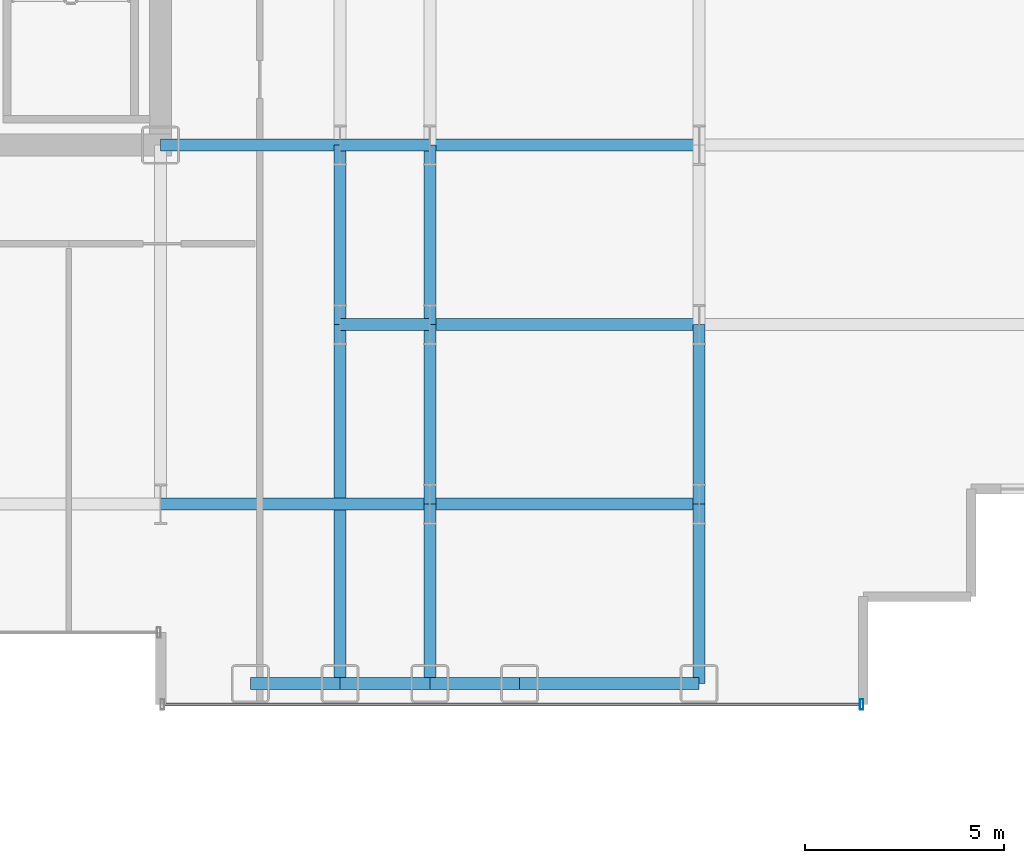
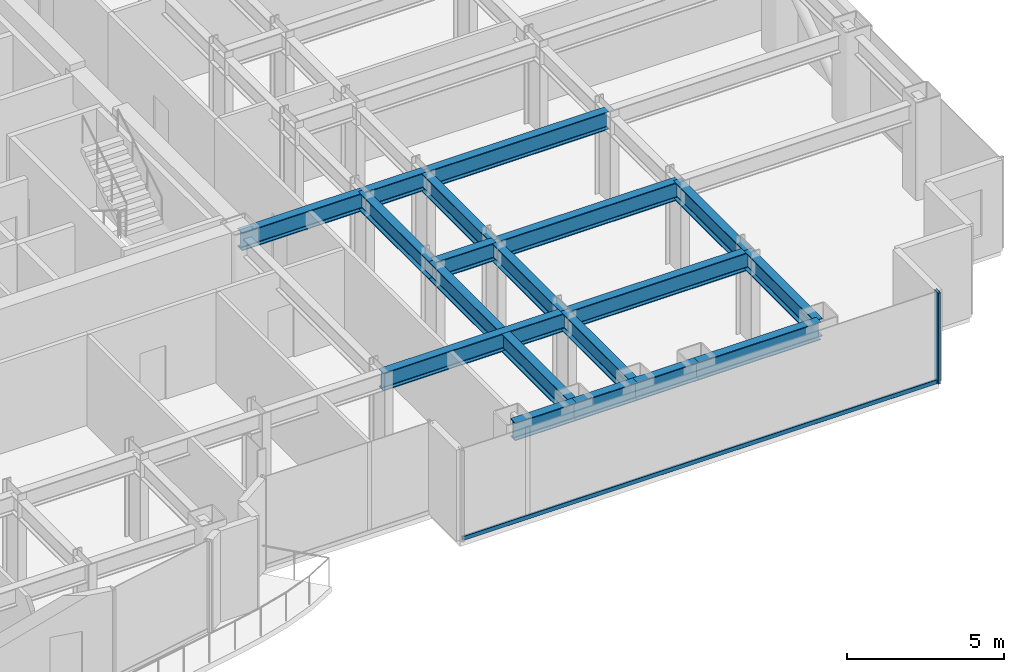
# One storey, part 9 of 28: 18 beams, 2 members, 1 element without a shape of its own.
"""IFC4 building model written with IfcOpenShell, lengths in metres."""

from ifc_helpers import new_model, si_unit, direction, frame, origin, origin_2d, place, context, subcontext, project, spatial, hollow_rectangle, i_section, extrude, source, transform, mapped, material, layer, layer_set, material_profile, profile_set, type_object, element, aggregate, save


model = new_model("IFC4")

# Units and contexts
model_context = context("Model", 3, precision=1e-05, world=origin(), true_north=direction((0.0, 1.0)))
body_context = subcontext(model_context, "Body", "Model", "MODEL_VIEW")
ifc_project = project(units=[si_unit("LENGTHUNIT", "METRE"), si_unit("AREAUNIT", "SQUARE_METRE"), si_unit("VOLUMEUNIT", "CUBIC_METRE"), si_unit("PLANEANGLEUNIT", "RADIAN"), si_unit("MASSUNIT", "GRAM", prefix="KILO")], contexts=[model_context])

# Site, building, storey
site_placement = place(None, origin())
site = spatial("IfcSite", under=ifc_project, at=site_placement, CompositionType="ELEMENT")
building_placement = place(site_placement, origin())
building = spatial("IfcBuilding", under=site, at=building_placement, Name="Nefas-Gora Pilgrimage Tower", CompositionType="ELEMENT")
storey_placement = place(building_placement, frame((0.0, 0.0, 102.199951171875)))
storey = spatial("IfcBuildingStorey", under=building, at=storey_placement, Name="L24", CompositionType="ELEMENT", Elevation=102.199951171875)

# Beams
ifc_material_1 = material(Name="Steel S355", Category="steel")
ifc_material_profile_1 = material_profile(ifc_material_1, i_section(OverallWidth=0.300048828125, OverallDepth=0.699951171875, WebThickness=0.01708984375, FlangeThickness=0.031982421875, FilletRadius=0.027099609375, at=origin_2d()), Name="HEB 700")
ifc_profile_set_1 = profile_set([ifc_material_profile_1], Name="Steel S355")
beam_type_1 = type_object("IfcBeamType", Name="BM-SPN-HEB600", PredefinedType="SPANDREL", material=ifc_profile_set_1)
shared_shape_1 = source(origin(), body_context, "Body", "SweptSolid", [
    extrude(i_section(OverallWidth=0.300048828125, OverallDepth=0.699951171875, WebThickness=0.01708984375, FlangeThickness=0.031982421875, FilletRadius=0.027099609375, at=origin_2d()), origin(), (0.0, 0.0, 1.0), 4.5),
])
beam_1_placement = place(storey_placement, frame((20.25, -22.5, 3.199951171875), z_axis=(1.0, 0.0, 0.0), x_axis=(0.0, 1.0, 0.0)))
element("IfcBeam", 1, at=beam_1_placement, inside=storey, type_object=beam_type_1, Name="L24 SP-01 beam", PredefinedType="SPANDREL", context=body_context, shape_type="MappedRepresentation", body=[
    mapped(shared_shape_1, transform((0.0, 0.0, 0.0), x_axis=(1.0, 0.0, 0.0), y_axis=(0.0, 1.0, 0.0), z_axis=(0.0, 0.0, 1.0), scale=1.0)),
])
ifc_material_profile_2 = material_profile(ifc_material_1, i_section(OverallWidth=0.300048828125, OverallDepth=0.699951171875, WebThickness=0.01708984375, FlangeThickness=0.031982421875, FilletRadius=0.027099609375, at=origin_2d()), Name="HEB 700")
ifc_profile_set_2 = profile_set([ifc_material_profile_2], Name="Steel S355")
beam_type_2 = type_object("IfcBeamType", Name="BM-GIR-HEB700", PredefinedType="BEAM", material=ifc_profile_set_2)
shared_shape_2 = source(origin(), body_context, "Body", "SweptSolid", [
    extrude(i_section(OverallWidth=0.300048828125, OverallDepth=0.699951171875, WebThickness=0.01708984375, FlangeThickness=0.031982421875, FilletRadius=0.027099609375, at=origin_2d()), origin(), (0.0, 0.0, 1.0), 9.0),
])
beam_2_placement = place(storey_placement, frame((15.75, -22.5, 3.199951171875), z_axis=(0.0, 1.0, 0.0), x_axis=(-1.0, 0.0, 0.0)))
element("IfcBeam", 2, at=beam_2_placement, inside=storey, type_object=beam_type_2, Name="L24 G-02 beam", PredefinedType="BEAM", context=body_context, shape_type="MappedRepresentation", body=[
    mapped(shared_shape_2, transform((0.0, 0.0, 0.0), x_axis=(1.0, 0.0, 0.0), y_axis=(0.0, 1.0, 0.0), z_axis=(0.0, 0.0, 1.0), scale=1.0)),
])
shared_shape_3 = source(origin(), body_context, "Body", "SweptSolid", [
    extrude(i_section(OverallWidth=0.300048828125, OverallDepth=0.699951171875, WebThickness=0.01708984375, FlangeThickness=0.031982421875, FilletRadius=0.027099609375, at=origin_2d()), origin(), (0.0, 0.0, 1.0), 4.5),
])
for number, where, z_axis, x_axis, name in (
    (3, (11.25, -9.0, 3.199951171875), (1.0, 0.0, 0.0), (0.0, 1.0, 0.0), "L24 G-02 beam"),
    (4, (15.75, -13.5, 3.199951171875), (0.0, 1.0, 0.0), (-1.0, 0.0, 0.0), "L24 G-02 beam"),
    (5, (18.0, -22.5, 3.199951171875), (0.0, 1.0, 0.0), (-1.0, 0.0, 0.0), "L24 G-02 beam"),
    (6, (18.0, -18.0, 3.199951171875), (0.0, 1.0, 0.0), (-1.0, 0.0, 0.0), "L24 G-02 beam"),
    (7, (18.0, -13.5, 3.199951171875), (0.0, 1.0, 0.0), (-1.0, 0.0, 0.0), "L24 G-02 beam"),
    (8, (24.75, -22.5, 3.199951171875), (0.0, 1.0, 0.0), (-1.0, 0.0, 0.0), "L24 G-02 beam"),
    (9, (24.75, -18.0, 3.199951171875), (0.0, 1.0, 0.0), (-1.0, 0.0, 0.0), "L24 G-02 beam"),
):
    element("IfcBeam", number, at=place(storey_placement, frame(where, z_axis=z_axis, x_axis=x_axis)), inside=storey, type_object=beam_type_2, Name=name, PredefinedType="BEAM", context=body_context, shape_type="MappedRepresentation", body=[
        mapped(shared_shape_3, transform((0.0, 0.0, 0.0), x_axis=(1.0, 0.0, 0.0), y_axis=(0.0, 1.0, 0.0), z_axis=(0.0, 0.0, 1.0), scale=1.0)),
    ])
shared_shape_4 = source(origin(), body_context, "Body", "SweptSolid", [
    extrude(i_section(OverallWidth=0.300048828125, OverallDepth=0.699951171875, WebThickness=0.01708984375, FlangeThickness=0.031982421875, FilletRadius=0.027099609375, at=origin_2d()), origin(), (0.0, 0.0, 1.0), 6.75),
])
for number, where, z_axis, x_axis, name in (
    (10, (11.25, -18.0, 3.199951171875), (1.0, 0.0, 0.0), (0.0, 1.0, 0.0), "L24 G-02 beam"),
    (11, (18.0, -18.0, 3.199951171875), (1.0, 0.0, 0.0), (0.0, 1.0, 0.0), "L24 G-02 beam"),
    (12, (18.0, -13.5, 3.199951171875), (1.0, 0.0, 0.0), (0.0, 1.0, 0.0), "L24 G-02 beam"),
    (13, (18.0, -9.0, 3.199951171875), (1.0, 0.0, 0.0), (0.0, 1.0, 0.0), "L24 G-02 beam"),
):
    element("IfcBeam", number, at=place(storey_placement, frame(where, z_axis=z_axis, x_axis=x_axis)), inside=storey, type_object=beam_type_2, Name=name, PredefinedType="BEAM", context=body_context, shape_type="MappedRepresentation", body=[
        mapped(shared_shape_4, transform((0.0, 0.0, 0.0), x_axis=(1.0, 0.0, 0.0), y_axis=(0.0, 1.0, 0.0), z_axis=(0.0, 0.0, 1.0), scale=1.0)),
    ])
shared_shape_5 = source(origin(), body_context, "Body", "SweptSolid", [
    extrude(i_section(OverallWidth=0.300048828125, OverallDepth=0.699951171875, WebThickness=0.01708984375, FlangeThickness=0.031982421875, FilletRadius=0.027099609375, at=origin_2d()), origin(), (0.0, 0.0, 1.0), 2.25),
])
for number, where, z_axis, x_axis, name in (
    (14, (13.5, -22.5, 3.199951171875), (1.0, 0.0, 0.0), (0.0, 1.0, 0.0), "L24 SP-01 beam"),
    (15, (15.75, -22.5, 3.199951171875), (1.0, 0.0, 0.0), (0.0, 1.0, 0.0), "L24 SP-01 beam"),
    (16, (18.0, -22.5, 3.199951171875), (1.0, 0.0, 0.0), (0.0, 1.0, 0.0), "L24 SP-01 beam"),
):
    element("IfcBeam", number, at=place(storey_placement, frame(where, z_axis=z_axis, x_axis=x_axis)), inside=storey, type_object=beam_type_1, Name=name, PredefinedType="SPANDREL", context=body_context, shape_type="MappedRepresentation", body=[
        mapped(shared_shape_5, transform((0.0, 0.0, 0.0), x_axis=(1.0, 0.0, 0.0), y_axis=(0.0, 1.0, 0.0), z_axis=(0.0, 0.0, 1.0), scale=1.0)),
    ])
shared_shape_6 = source(origin(), body_context, "Body", "SweptSolid", [
    extrude(i_section(OverallWidth=0.300048828125, OverallDepth=0.699951171875, WebThickness=0.01708984375, FlangeThickness=0.031982421875, FilletRadius=0.027099609375, at=origin_2d()), origin(), (0.0, 0.0, 1.0), 2.25),
])
for number, where, z_axis, x_axis, name in (
    (17, (15.75, -13.5, 3.199951171875), (1.0, 0.0, 0.0), (0.0, 1.0, 0.0), "L24 G-02 beam"),
    (18, (15.75, -9.0, 3.199951171875), (1.0, 0.0, 0.0), (0.0, 1.0, 0.0), "L24 G-02 beam"),
):
    element("IfcBeam", number, at=place(storey_placement, frame(where, z_axis=z_axis, x_axis=x_axis)), inside=storey, type_object=beam_type_2, Name=name, PredefinedType="BEAM", context=body_context, shape_type="MappedRepresentation", body=[
        mapped(shared_shape_6, transform((0.0, 0.0, 0.0), x_axis=(1.0, 0.0, 0.0), y_axis=(0.0, 1.0, 0.0), z_axis=(0.0, 0.0, 1.0), scale=1.0)),
    ])

# Curtain wall, members
ifc_material_2 = material(Name="Dark ceramic-fritted solar-control aluminium-glass curtain wall", Category="aluminium")
ifc_layer = layer(ifc_material_2, 0.219970703125)
ifc_layer_set = layer_set([ifc_layer], Name="Dark ceramic-fritted solar-control aluminium-glass curtain wall")
curtain_wall_type = type_object("IfcCurtainWallType", Name="CW-SYS-2", PredefinedType="NOTDEFINED", material=ifc_layer_set)
curtain_wall_placement = place(storey_placement, origin())
curtain_wall = element("IfcCurtainWall", 19, at=curtain_wall_placement, inside=storey, type_object=curtain_wall_type, Name="L24 Unitised Curtain Wall CW2", PredefinedType="NOTDEFINED")
ifc_material_3 = material(Name="Anodised architectural aluminium", Category="aluminium")
ifc_material_profile_3 = material_profile(ifc_material_3, hollow_rectangle(XDim=0.090087890625, YDim=0.260009765625, WallThickness=0.006103515625, InnerFilletRadius=0.006103515625, OuterFilletRadius=0.011962890625, at=origin_2d()), Name="ALU MULLION 90x260")
ifc_profile_set_3 = profile_set([ifc_material_profile_3], Name="Anodised architectural aluminium")
member_type_1 = type_object("IfcMemberType", Name="CWM-MUL-2", PredefinedType="MULLION", material=ifc_profile_set_3)
shared_shape_7 = source(origin(), body_context, "Body", "SweptSolid", [
    extrude(hollow_rectangle(XDim=0.090087890625, YDim=0.260009765625, WallThickness=0.006103515625, InnerFilletRadius=0.006103515625, OuterFilletRadius=0.011962890625, at=origin_2d()), origin(), (0.0, 0.0, 1.0), 3.550048828125),
])
member_1_placement = place(storey_placement, frame((28.824951171875, -23.02001953125, 0.0), z_axis=(0.0, 0.0, 1.0), x_axis=(1.0, 0.0, 0.0)))
member_1 = element("IfcMember", 20, at=member_1_placement, type_object=member_type_1, Name="CW2 Mullion 2", PredefinedType="MULLION", context=body_context, shape_type="MappedRepresentation", body=[
    mapped(shared_shape_7, transform((0.0, 0.0, 0.0), x_axis=(1.0, 0.0, 0.0), y_axis=(0.0, 1.0, 0.0), z_axis=(0.0, 0.0, 1.0), scale=1.0)),
])
ifc_material_profile_4 = material_profile(ifc_material_3, hollow_rectangle(XDim=0.080078125, YDim=0.159912109375, WallThickness=0.00439453125, InnerFilletRadius=0.00439453125, OuterFilletRadius=0.009033203125, at=origin_2d()), Name="ALU TRANSOM 80x160")
ifc_profile_set_4 = profile_set([ifc_material_profile_4], Name="Anodised architectural aluminium")
member_type_2 = type_object("IfcMemberType", Name="CWM-TRN-2", PredefinedType="USERDEFINED", material=ifc_profile_set_4)
shared_shape_8 = source(origin(), body_context, "Body", "SweptSolid", [
    extrude(hollow_rectangle(XDim=0.080078125, YDim=0.159912109375, WallThickness=0.00439453125, InnerFilletRadius=0.00439453125, OuterFilletRadius=0.009033203125, at=origin_2d()), origin(), (0.0, 0.0, 1.0), 17.43994140625),
])
member_2_placement = place(storey_placement, frame((11.340087890625, -23.02001953125, 0.050048828125), z_axis=(1.0, 0.0, 0.0), x_axis=(0.0, 1.0, 0.0)))
member_2 = element("IfcMember", 21, at=member_2_placement, type_object=member_type_2, Name="CW2 Spandrel Transom", ObjectType="TRANSOM", PredefinedType="USERDEFINED", context=body_context, shape_type="MappedRepresentation", body=[
    mapped(shared_shape_8, transform((0.0, 0.0, 0.0), x_axis=(1.0, 0.0, 0.0), y_axis=(0.0, 1.0, 0.0), z_axis=(0.0, 0.0, 1.0), scale=1.0)),
])
aggregate(curtain_wall, [member_1, member_2])

save(model, "model.ifc")
